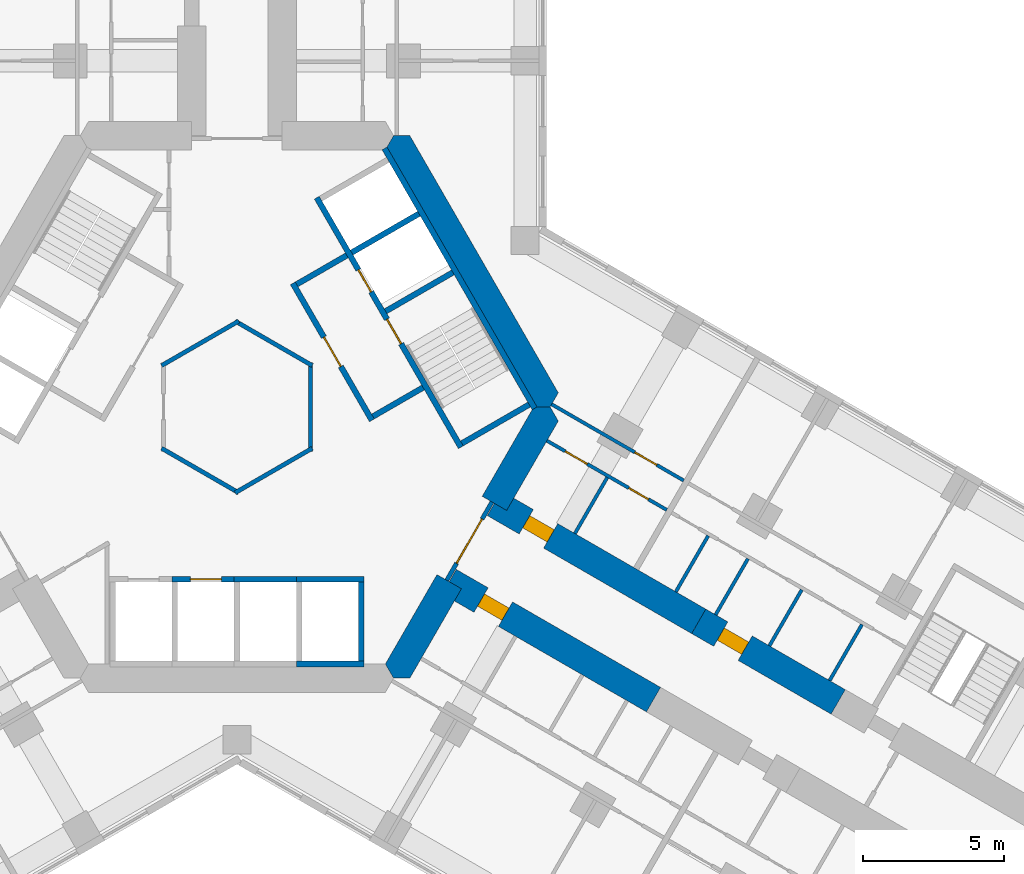
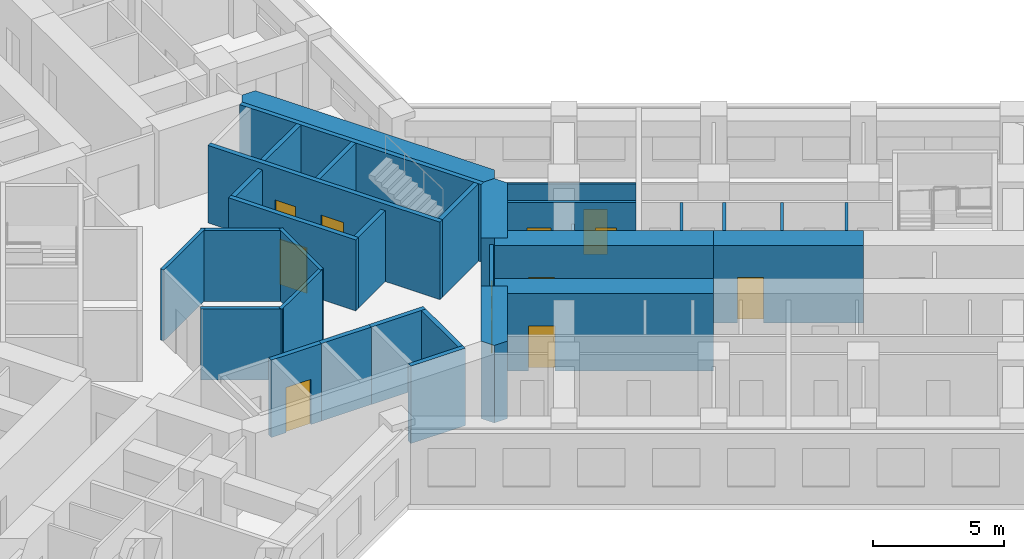
# One storey, part 15 of 21: 32 walls, 11 doors, 11 openings.
"""IFC4 building model written with IfcOpenShell, lengths in metres."""

from ifc_helpers import new_model, si_unit, direction, frame, frame_2d, origin, place, context, subcontext, project, spatial, polyline, rectangle, outline, extrude, material, layer, layer_set, type_object, element, fill, save


model = new_model("IFC4")

# Units and contexts
model_context = context("Model", 3, precision=1e-05, world=origin(), true_north=direction((0.0, 1.0)))
body_context = subcontext(model_context, "Body", "Model", "MODEL_VIEW")
ifc_project = project(units=[si_unit("LENGTHUNIT", "METRE"), si_unit("AREAUNIT", "SQUARE_METRE"), si_unit("VOLUMEUNIT", "CUBIC_METRE"), si_unit("PLANEANGLEUNIT", "RADIAN"), si_unit("MASSUNIT", "GRAM", prefix="KILO")], contexts=[model_context])

# Site, building, storey
site_placement = place(None, origin())
site = spatial("IfcSite", under=ifc_project, at=site_placement, CompositionType="ELEMENT")
building_placement = place(site_placement, origin())
building = spatial("IfcBuilding", under=site, at=building_placement, Name="Kosmar Iwan School Tower", CompositionType="ELEMENT")
storey_placement = place(building_placement, frame((0.0, 0.0, 109.60009765625)))
storey = spatial("IfcBuildingStorey", under=building, at=storey_placement, Name="L27", CompositionType="ELEMENT", Elevation=109.60009765625)

# Walls
ifc_material_1 = material(Name="Gypsum board on steel studs, fire-rated", Category="steel")
ifc_layer_1 = layer(ifc_material_1, 0.14990234375)
ifc_layer_set_1 = layer_set([ifc_layer_1], Name="Core room partition 150")
wall_type_1 = type_object("IfcWallType", Name="Core room partition 150", PredefinedType="PARTITIONING", material=ifc_layer_set_1)
for number, where, z_axis, x_axis, name in (
    (1, (2.6650390625, -1.463623046875, 0.0), (0.0, 0.0, 1.0), (-0.866023080072, -0.500004024767, 0.0), "Core room partition L27-CW4"),
    (2, (0.06494140625, -3.039794921875, 0.0), (0.0, 0.0, 1.0), (-0.866023080072, 0.500004024767, 0.0), "Core room partition L27-CW5"),
    (3, (-2.6650390625, 1.463623046875, 0.0), (0.0, 0.0, 1.0), (0.866023080072, 0.500004024767, 0.0), "Core room partition L27-CW7"),
    (4, (-0.06494140625, 3.039794921875, 0.0), (0.0, 0.0, 1.0), (0.866023080072, -0.500004024767, 0.0), "Core room partition L27-CW8"),
    (5, (2.60009765625, 1.576171875, 0.0), (0.0, 0.0, 1.0), (0.0, -1.0, 0.0), "Core room partition L27-CW9"),
):
    element("IfcWall", number, at=place(storey_placement, frame(where, z_axis=z_axis, x_axis=x_axis)), inside=storey, type_object=wall_type_1, Name=name, PredefinedType="PARTITIONING", context=body_context, shape_type="SweptSolid", body=[
        extrude(rectangle(XDim=3.15234375, YDim=0.14990234375, at=frame_2d((1.576171875, 0.0))), origin(), (0.0, 0.0, 1.0), 3.2998046875),
    ])
ifc_material_2 = material(Name="Concrete C50/60", Category="concrete")
ifc_layer_2 = layer(ifc_material_2, 1.0)
ifc_layer_set_2 = layer_set([ifc_layer_2], Name="Core wall 1000")
wall_type_2 = type_object("IfcWallType", Name="Core wall 1000", PredefinedType="SHEAR", material=ifc_layer_set_2)
wall_1_placement = place(storey_placement, origin())
element("IfcWall", 6, at=wall_1_placement, inside=storey, type_object=wall_type_2, Name="Core wall F030", PredefinedType="SHEAR", context=body_context, shape_type="SweptSolid", body=[
    extrude(outline(polyline([(10.5078125, 0.0), (11.085205078125, 0.0), (11.373779296875, 0.5), (6.119873046875, 9.60009765625), (5.54248046875, 9.60009765625), (5.25390625, 9.10009765625), (10.5078125, 0.0)])), origin(), (0.0, 0.0, 1.0), 3.599853515625),
])
wall_2_placement = place(storey_placement, origin())
element("IfcWall", 7, at=wall_2_placement, inside=storey, type_object=wall_type_2, Name="Core wall F330a", PredefinedType="SHEAR", context=body_context, shape_type="SweptSolid", body=[
    extrude(outline(polyline([(5.54248046875, -9.60009765625), (6.119873046875, -9.60009765625), (7.94677734375, -6.435546875), (7.080810546875, -5.935546875), (5.25390625, -9.10009765625), (5.54248046875, -9.60009765625)])), origin(), (0.0, 0.0, 1.0), 3.599853515625),
])
wall_3_placement = place(storey_placement, origin())
element("IfcWall", 8, at=wall_3_placement, inside=storey, type_object=wall_type_2, Name="Core wall F330b", PredefinedType="SHEAR", context=body_context, shape_type="SweptSolid", body=[
    extrude(outline(polyline([(9.546875, -3.664306640625), (11.373779296875, -0.5), (11.085205078125, 0.0), (10.5078125, 0.0), (8.680908203125, -3.164306640625), (9.546875, -3.664306640625)])), origin(), (0.0, 0.0, 1.0), 3.599853515625),
])

# Wall, opening, door
ifc_material_3 = material(Name="Concrete C50/60", Category="concrete")
ifc_layer_3 = layer(ifc_material_3, 1.0)
ifc_layer_set_3 = layer_set([ifc_layer_3], Name="Corridor buttress wall 1000")
wall_type_3 = type_object("IfcWallType", Name="Corridor buttress wall 1000", PredefinedType="SHEAR", material=ifc_layer_set_3)
wall_4_placement = place(storey_placement, frame((9.11376953125, -3.414306640625, 0.0), z_axis=(0.0, 0.0, 1.0), x_axis=(0.866026859388, -0.499997478812, 0.0)))
wall_4 = element("IfcWall", 9, at=wall_4_placement, inside=storey, type_object=wall_type_3, Name="Corridor wall CL", PredefinedType="SHEAR", context=body_context, shape_type="SweptSolid", body=[
    extrude(rectangle(XDim=8.35009765625, YDim=1.0, at=frame_2d((4.175048828125, 0.0))), origin(), (0.0, 0.0, 1.0), 3.599853515625),
])
opening_1_placement = place(wall_4_placement, frame((1.300048828125, 0.0, 0.0)))
opening_1 = element("IfcOpeningElement", 10, at=opening_1_placement, cuts=wall_4, Name="Opening D1", PredefinedType="OPENING", context=body_context, shape_type="SweptSolid", body=[
    extrude(rectangle(XDim=1.0, YDim=2.10009765625, at=frame_2d((0.5, 1.050048828125))), frame((0.0, 0.511962890625, 0.0), z_axis=(0.0, -1.0, 0.0), x_axis=(1.0, 0.0, 0.0)), (0.0, 0.0, 1.0), 1.02392578125),
])
ifc_material_4 = material(Name="Timber fire door in steel frame", Category="steel")
door_type_1 = type_object("IfcDoorType", Name="Flat entrance door 1000x2100", OperationType="SINGLE_SWING_LEFT", PredefinedType="DOOR", material=ifc_material_4)
door_1_placement = place(opening_1_placement, origin())
door_1 = element("IfcDoor", 11, at=door_1_placement, inside=storey, type_object=door_type_1, Name="Flat L27-CL1 entrance door", OperationType="SINGLE_SWING_RIGHT", OverallHeight=2.10009765625, OverallWidth=1.0, PredefinedType="DOOR", context=body_context, shape_type="SweptSolid", body=[
    extrude(rectangle(XDim=1.0, YDim=2.10009765625, at=frame_2d((0.5, 1.050048828125))), frame((0.0, 0.25, 0.0), z_axis=(0.0, -1.0, 0.0), x_axis=(1.0, 0.0, 0.0)), (0.0, 0.0, 1.0), 0.5),
])
fill(opening_1, door_1)

wall_5_placement = place(storey_placement, frame((16.34521484375, -7.58935546875, 0.0), z_axis=(0.0, 0.0, 1.0), x_axis=(0.866015111908, -0.50001782563, 0.0)))
wall_5 = element("IfcWall", 12, at=wall_5_placement, inside=storey, type_object=wall_type_3, Name="Corridor wall CL bay 2", PredefinedType="SHEAR", context=body_context, shape_type="SweptSolid", body=[
    extrude(rectangle(XDim=5.699951171875, YDim=1.0, at=frame_2d((2.85009765625, 0.0))), origin(), (0.0, 0.0, 1.0), 3.599853515625),
])
opening_2_placement = place(wall_5_placement, frame((0.89990234375, 0.0, 0.0)))
opening_2 = element("IfcOpeningElement", 13, at=opening_2_placement, cuts=wall_5, Name="Opening D1", PredefinedType="OPENING", context=body_context, shape_type="SweptSolid", body=[
    extrude(rectangle(XDim=1.0, YDim=2.10009765625, at=frame_2d((0.5, 1.050048828125))), frame((0.0, 0.511962890625, 0.0), z_axis=(0.0, -1.0, 0.0), x_axis=(1.0, 0.0, 0.0)), (0.0, 0.0, 1.0), 1.02392578125),
])
door_2_placement = place(opening_2_placement, origin())
door_2 = element("IfcDoor", 14, at=door_2_placement, inside=storey, type_object=door_type_1, Name="Flat L27-CL2 entrance door", OperationType="SINGLE_SWING_LEFT", OverallHeight=2.10009765625, OverallWidth=1.0, PredefinedType="DOOR", context=body_context, shape_type="SweptSolid", body=[
    extrude(rectangle(XDim=1.0, YDim=2.10009765625, at=frame_2d((0.5, 1.050048828125))), frame((0.0, 0.25, 0.0), z_axis=(0.0, -1.0, 0.0), x_axis=(1.0, 0.0, 0.0)), (0.0, 0.0, 1.0), 0.5),
])
fill(opening_2, door_2)

wall_6_placement = place(storey_placement, frame((7.513916015625, -6.185546875, 0.0), z_axis=(0.0, 0.0, 1.0), x_axis=(0.866019549707, -0.500010139422, 0.0)))
wall_6 = element("IfcWall", 15, at=wall_6_placement, inside=storey, type_object=wall_type_3, Name="Corridor wall CR", PredefinedType="SHEAR", context=body_context, shape_type="SweptSolid", body=[
    extrude(rectangle(XDim=8.349853515625, YDim=1.0, at=frame_2d((4.1748046875, 0.0))), origin(), (0.0, 0.0, 1.0), 3.599853515625),
])
opening_3_placement = place(wall_6_placement, frame((1.300048828125, 0.0, 0.0)))
opening_3 = element("IfcOpeningElement", 16, at=opening_3_placement, cuts=wall_6, Name="Opening D1", PredefinedType="OPENING", context=body_context, shape_type="SweptSolid", body=[
    extrude(rectangle(XDim=1.0, YDim=2.10009765625, at=frame_2d((0.5, 1.050048828125))), frame((0.0, 0.511962890625, 0.0), z_axis=(0.0, -1.0, 0.0), x_axis=(1.0, 0.0, 0.0)), (0.0, 0.0, 1.0), 1.02392578125),
])
door_3_placement = place(opening_3_placement, origin())
door_3 = element("IfcDoor", 17, at=door_3_placement, inside=storey, type_object=door_type_1, Name="Flat L27-CR1 entrance door", OperationType="SINGLE_SWING_LEFT", OverallHeight=2.10009765625, OverallWidth=1.0, PredefinedType="DOOR", context=body_context, shape_type="SweptSolid", body=[
    extrude(rectangle(XDim=1.0, YDim=2.10009765625, at=frame_2d((0.5, 1.050048828125))), frame((0.0, 0.25, 0.0), z_axis=(0.0, -1.0, 0.0), x_axis=(1.0, 0.0, 0.0)), (0.0, 0.0, 1.0), 0.5),
])
fill(opening_3, door_3)

ifc_material_5 = material(Name="Steel framed glazed screen", Category="steel")
ifc_layer_4 = layer(ifc_material_5, 0.14990234375)
ifc_layer_set_4 = layer_set([ifc_layer_4], Name="Corridor screen wall 150")
wall_type_4 = type_object("IfcWallType", Name="Corridor screen wall 150", PredefinedType="PARTITIONING", material=ifc_layer_set_4)
wall_7_placement = place(storey_placement, frame((7.42724609375, -6.1357421875, 0.0), z_axis=(0.0, 0.0, 1.0), x_axis=(0.499995408039, 0.866028054938, 0.0)))
wall_7 = element("IfcWall", 18, at=wall_7_placement, inside=storey, type_object=wall_type_4, Name="Corridor screen C L27", PredefinedType="PARTITIONING", context=body_context, shape_type="SweptSolid", body=[
    extrude(rectangle(XDim=3.2001953125, YDim=0.14990234375, at=frame_2d((1.60009765625, 0.0))), origin(), (0.0, 0.0, 1.0), 3.2998046875),
])
opening_4_placement = place(wall_7_placement, frame((0.699951171875, 0.0, 0.0)))
opening_4 = element("IfcOpeningElement", 19, at=opening_4_placement, cuts=wall_7, Name="Opening D9", PredefinedType="OPENING", context=body_context, shape_type="SweptSolid", body=[
    extrude(rectangle(XDim=1.800048828125, YDim=2.10009765625, at=frame_2d((0.89990234375, 1.050048828125))), frame((0.0, 0.0869140625, 0.0), z_axis=(0.0, -1.0, 0.0), x_axis=(1.0, 0.0, 0.0)), (0.0, 0.0, 1.0), 0.173828125),
])
ifc_material_6 = material(Name="Steel framed glazed smoke door", Category="steel")
door_type_2 = type_object("IfcDoorType", Name="Corridor smoke door pair 1800x2100", OperationType="DOUBLE_DOOR_DOUBLE_SWING", PredefinedType="DOOR", material=ifc_material_6)
door_4_placement = place(opening_4_placement, origin())
door_4 = element("IfcDoor", 20, at=door_4_placement, inside=storey, type_object=door_type_2, Name="Corridor doors C L27", OperationType="DOUBLE_DOOR_DOUBLE_SWING", OverallHeight=2.10009765625, OverallWidth=1.800048828125, PredefinedType="DOOR", context=body_context, shape_type="SweptSolid", body=[
    extrude(rectangle(XDim=1.800048828125, YDim=2.10009765625, at=frame_2d((0.89990234375, 1.050048828125))), frame((0.0, 0.02490234375, 0.0), z_axis=(0.0, -1.0, 0.0), x_axis=(1.0, 0.0, 0.0)), (0.0, 0.0, 1.0), 0.050048828125),
])
fill(opening_4, door_4)

# Wall, openings, doors
ifc_material_7 = material(Name="Gypsum board on steel studs", Category="steel")
ifc_layer_5 = layer(ifc_material_7, 0.1201171875)
ifc_layer_set_5 = layer_set([ifc_layer_5], Name="Dwelling partition 120")
wall_type_5 = type_object("IfcWallType", Name="Dwelling partition 120", PredefinedType="PARTITIONING", material=ifc_layer_set_5)
wall_8_placement = place(storey_placement, frame((10.971923828125, -1.1962890625, 0.0), z_axis=(0.0, 0.0, 1.0), x_axis=(0.866023786258, -0.500002801628, 0.0)))
wall_8 = element("IfcWall", 21, at=wall_8_placement, inside=storey, type_object=wall_type_5, Name="Partition L27-CL1-W1", PredefinedType="PARTITIONING", context=body_context, shape_type="SweptSolid", body=[
    extrude(rectangle(XDim=4.89990234375, YDim=0.1201171875, at=frame_2d((2.449951171875, 0.0))), origin(), (0.0, 0.0, 1.0), 3.2998046875),
])
opening_5_placement = place(wall_8_placement, frame((0.75, 0.0, 0.0)))
opening_5 = element("IfcOpeningElement", 22, at=opening_5_placement, cuts=wall_8, Name="Opening D2", PredefinedType="OPENING", context=body_context, shape_type="SweptSolid", body=[
    extrude(rectangle(XDim=0.89990234375, YDim=2.10009765625, at=frame_2d((0.449951171875, 1.050048828125))), frame((0.0, 0.072021484375, 0.0), z_axis=(0.0, -1.0, 0.0), x_axis=(1.0, 0.0, 0.0)), (0.0, 0.0, 1.0), 0.14404296875),
])
opening_6_placement = place(wall_8_placement, frame((3.35009765625, 0.0, 0.0)))
opening_6 = element("IfcOpeningElement", 23, at=opening_6_placement, cuts=wall_8, Name="Opening D3", PredefinedType="OPENING", context=body_context, shape_type="SweptSolid", body=[
    extrude(rectangle(XDim=0.800048828125, YDim=2.10009765625, at=frame_2d((0.39990234375, 1.050048828125))), frame((0.0, 0.072021484375, 0.0), z_axis=(0.0, -1.0, 0.0), x_axis=(1.0, 0.0, 0.0)), (0.0, 0.0, 1.0), 0.14404296875),
])
ifc_material_8 = material(Name="Timber door in timber frame", Category="wood")
door_type_3 = type_object("IfcDoorType", Name="Internal door 900x2100", OperationType="SINGLE_SWING_LEFT", PredefinedType="DOOR", material=ifc_material_8)
door_5_placement = place(opening_5_placement, origin())
door_5 = element("IfcDoor", 24, at=door_5_placement, inside=storey, type_object=door_type_3, Name="Entrance hall door L27-CL1-S1", OperationType="SINGLE_SWING_LEFT", OverallHeight=2.10009765625, OverallWidth=0.89990234375, PredefinedType="DOOR", context=body_context, shape_type="SweptSolid", body=[
    extrude(rectangle(XDim=0.89990234375, YDim=2.10009765625, at=frame_2d((0.449951171875, 1.050048828125))), frame((0.0, 0.02490234375, 0.0), z_axis=(0.0, -1.0, 0.0), x_axis=(1.0, 0.0, 0.0)), (0.0, 0.0, 1.0), 0.050048828125),
])
fill(opening_5, door_5)
ifc_material_9 = material(Name="Timber door in timber frame", Category="wood")
door_type_4 = type_object("IfcDoorType", Name="Sanitary room door 800x2100", OperationType="SINGLE_SWING_LEFT", PredefinedType="DOOR", material=ifc_material_9)
door_6_placement = place(opening_6_placement, origin())
door_6 = element("IfcDoor", 25, at=door_6_placement, inside=storey, type_object=door_type_4, Name="Bathroom door L27-CL1-S2", OperationType="SINGLE_SWING_RIGHT", OverallHeight=2.10009765625, OverallWidth=0.800048828125, PredefinedType="DOOR", context=body_context, shape_type="SweptSolid", body=[
    extrude(rectangle(XDim=0.800048828125, YDim=2.10009765625, at=frame_2d((0.39990234375, 1.050048828125))), frame((0.0, 0.02490234375, 0.0), z_axis=(0.0, -1.0, 0.0), x_axis=(1.0, 0.0, 0.0)), (0.0, 0.0, 1.0), 0.050048828125),
])
fill(opening_6, door_6)

# Wall, opening, door
wall_9_placement = place(storey_placement, frame((11.138916015625, 0.093017578125, 0.0), z_axis=(0.0, 0.0, 1.0), x_axis=(0.866028230842, -0.499995103361, 0.0)))
wall_9 = element("IfcWall", 26, at=wall_9_placement, inside=storey, type_object=wall_type_5, Name="Partition L27-CL1-W2", PredefinedType="PARTITIONING", context=body_context, shape_type="SweptSolid", body=[
    extrude(rectangle(XDim=5.39990234375, YDim=0.1201171875, at=frame_2d((2.699951171875, 0.0))), origin(), (0.0, 0.0, 1.0), 3.2998046875),
])
opening_7_placement = place(wall_9_placement, frame((3.39990234375, 0.0, 0.0)))
opening_7 = element("IfcOpeningElement", 27, at=opening_7_placement, cuts=wall_9, Name="Opening D2", PredefinedType="OPENING", context=body_context, shape_type="SweptSolid", body=[
    extrude(rectangle(XDim=0.89990234375, YDim=2.10009765625, at=frame_2d((0.449951171875, 1.050048828125))), frame((0.0, 0.072021484375, 0.0), z_axis=(0.0, -1.0, 0.0), x_axis=(1.0, 0.0, 0.0)), (0.0, 0.0, 1.0), 0.14404296875),
])
door_7_placement = place(opening_7_placement, origin())
door_7 = element("IfcDoor", 28, at=door_7_placement, inside=storey, type_object=door_type_3, Name="Studio living room and kitchen door L27-CL1-F1", OperationType="SINGLE_SWING_RIGHT", OverallHeight=2.10009765625, OverallWidth=0.89990234375, PredefinedType="DOOR", context=body_context, shape_type="SweptSolid", body=[
    extrude(rectangle(XDim=0.89990234375, YDim=2.10009765625, at=frame_2d((0.449951171875, 1.050048828125))), frame((0.0, 0.02490234375, 0.0), z_axis=(0.0, -1.0, 0.0), x_axis=(1.0, 0.0, 0.0)), (0.0, 0.0, 1.0), 0.050048828125),
])
fill(opening_7, door_7)

# Walls
wall_10_placement = place(storey_placement, frame((11.9619140625, -4.4814453125, 0.0), z_axis=(0.0, 0.0, 1.0), x_axis=(0.499968531483, 0.866043571379, 0.0)))
element("IfcWall", 29, at=wall_10_placement, inside=storey, type_object=wall_type_5, Name="Partition L27-CL1-Y1", PredefinedType="PARTITIONING", context=body_context, shape_type="SweptSolid", body=[
    extrude(rectangle(XDim=2.290283203125, YDim=0.1201171875, at=frame_2d((1.14501953125, 0.0))), origin(), (0.0, 0.0, 1.0), 2.2998046875),
])
for number, where, z_axis, x_axis, name in (
    (30, (15.5341796875, -6.5439453125, 0.0), (0.0, 0.0, 1.0), (0.499968531483, 0.866043571379, 0.0), "Partition L27-CL2-Y1"),
    (31, (16.941650390625, -7.3564453125, 0.0), (0.0, 0.0, 1.0), (0.499968531483, 0.866043571379, 0.0), "Partition L27-CL2-Y2"),
):
    element("IfcWall", number, at=place(storey_placement, frame(where, z_axis=z_axis, x_axis=x_axis)), inside=storey, type_object=wall_type_5, Name=name, PredefinedType="PARTITIONING", context=body_context, shape_type="SweptSolid", body=[
        extrude(rectangle(XDim=2.290283203125, YDim=0.1201171875, at=frame_2d((1.14501953125, 0.0))), origin(), (0.0, 0.0, 1.0), 3.2998046875),
    ])
for number, where, z_axis, x_axis, name in (
    (32, (18.846923828125, -8.456298828125, 0.0), (0.0, 0.0, 1.0), (0.500014693593, 0.866016920268, 0.0), "Partition L27-CL2-Y3"),
    (33, (20.977294921875, -9.686279296875, 0.0), (0.0, 0.0, 1.0), (0.500014693593, 0.866016920268, 0.0), "Partition L27-CL2-Y4"),
):
    element("IfcWall", number, at=place(storey_placement, frame(where, z_axis=z_axis, x_axis=x_axis)), inside=storey, type_object=wall_type_5, Name=name, PredefinedType="PARTITIONING", context=body_context, shape_type="SweptSolid", body=[
        extrude(rectangle(XDim=2.2900390625, YDim=0.1201171875, at=frame_2d((1.14501953125, 0.0))), origin(), (0.0, 0.0, 1.0), 3.2998046875),
    ])

# Wall, opening, door
ifc_material_10 = material(Name="Concrete block masonry", Category="masonry")
ifc_layer_6 = layer(ifc_material_10, 0.199951171875)
ifc_layer_set_6 = layer_set([ifc_layer_6], Name="Fire lobby wall 200")
wall_type_6 = type_object("IfcWallType", Name="Fire lobby wall 200", PredefinedType="PARTITIONING", material=ifc_layer_set_6)
wall_11_placement = place(storey_placement, frame((4.777587890625, -0.474853515625, 0.0), z_axis=(0.0, 0.0, 1.0), x_axis=(-0.500016814911, 0.866015695474, 0.0)))
wall_11 = element("IfcWall", 34, at=wall_11_placement, inside=storey, type_object=wall_type_6, Name="Firefighting lobby wall ST1", PredefinedType="PARTITIONING", context=body_context, shape_type="SweptSolid", body=[
    extrude(rectangle(XDim=5.599853515625, YDim=0.199951171875, at=frame_2d((2.7998046875, 0.0))), origin(), (0.0, 0.0, 1.0), 3.2998046875),
])
opening_8_placement = place(wall_11_placement, frame((2.199951171875, 0.0, 0.0)))
opening_8 = element("IfcOpeningElement", 35, at=opening_8_placement, cuts=wall_11, Name="Opening D7", PredefinedType="OPENING", context=body_context, shape_type="SweptSolid", body=[
    extrude(rectangle(XDim=1.199951171875, YDim=2.10009765625, at=frame_2d((0.60009765625, 1.050048828125))), frame((0.0, 0.112060546875, 0.0), z_axis=(0.0, -1.0, 0.0), x_axis=(1.0, 0.0, 0.0)), (0.0, 0.0, 1.0), 0.223876953125),
])
ifc_material_11 = material(Name="Steel fire door", Category="steel")
door_type_5 = type_object("IfcDoorType", Name="Fire lobby door 1200x2100", OperationType="SINGLE_SWING_LEFT", PredefinedType="DOOR", material=ifc_material_11)
door_8_placement = place(opening_8_placement, frame((1.199951171875, 0.0, 0.0), z_axis=(0.0, 0.0, 1.0), x_axis=(-1.0, 0.0, 0.0)))
door_8 = element("IfcDoor", 36, at=door_8_placement, inside=storey, type_object=door_type_5, Name="Firefighting lobby door ST1 L27", OperationType="SINGLE_SWING_LEFT", OverallHeight=2.10009765625, OverallWidth=1.199951171875, PredefinedType="DOOR", context=body_context, shape_type="SweptSolid", body=[
    extrude(rectangle(XDim=1.199951171875, YDim=2.10009765625, at=frame_2d((0.60009765625, 1.050048828125))), frame((0.0, 0.02490234375, 0.0), z_axis=(0.0, -1.0, 0.0), x_axis=(1.0, 0.0, 0.0)), (0.0, 0.0, 1.0), 0.050048828125),
])
fill(opening_8, door_8)

# Walls
wall_12_placement = place(storey_placement, frame((4.814208984375, -0.33837890625, 0.0), z_axis=(0.0, 0.0, 1.0), x_axis=(0.865969381856, 0.500097020274, 0.0)))
element("IfcWall", 37, at=wall_12_placement, inside=storey, type_object=wall_type_6, Name="Firefighting lobby wall ST1", PredefinedType="PARTITIONING", context=body_context, shape_type="SweptSolid", body=[
    extrude(rectangle(XDim=2.0498046875, YDim=0.199951171875, at=frame_2d((1.02490234375, 0.0))), origin(), (0.0, 0.0, 1.0), 3.2998046875),
])
wall_13_placement = place(storey_placement, frame((2.114013671875, 4.33837890625, 0.0), z_axis=(0.0, 0.0, 1.0), x_axis=(0.866050731258, 0.499956128963, 0.0)))
element("IfcWall", 38, at=wall_13_placement, inside=storey, type_object=wall_type_6, Name="Firefighting lobby wall ST1", PredefinedType="PARTITIONING", context=body_context, shape_type="SweptSolid", body=[
    extrude(rectangle(XDim=2.050048828125, YDim=0.199951171875, at=frame_2d((1.02490234375, 0.0))), origin(), (0.0, 0.0, 1.0), 3.2998046875),
])

# Wall, openings, doors
ifc_material_12 = material(Name="Concrete C50/60", Category="concrete")
ifc_layer_7 = layer(ifc_material_12, 0.199951171875)
ifc_layer_set_7 = layer_set([ifc_layer_7], Name="Lift shaft wall 200")
wall_type_7 = type_object("IfcWallType", Name="Lift shaft wall 200", PredefinedType="SHEAR", material=ifc_layer_set_7)
wall_14_placement = place(storey_placement, frame((7.926025390625, -1.42822265625, 0.0), z_axis=(0.0, 0.0, 1.0), x_axis=(-0.499998023675, 0.866026544813, 0.0)))
wall_14 = element("IfcWall", 39, at=wall_14_placement, inside=storey, type_object=wall_type_7, Name="Lift and stair front wall AC", PredefinedType="SHEAR", context=body_context, shape_type="SweptSolid", body=[
    extrude(rectangle(XDim=10.19970703125, YDim=0.199951171875, at=frame_2d((5.099853515625, 0.0))), origin(), (0.0, 0.0, 1.0), 3.599853515625),
])
opening_9_placement = place(wall_14_placement, frame((6.35009765625, 0.0, 0.0)))
opening_9 = element("IfcOpeningElement", 40, at=opening_9_placement, cuts=wall_14, Name="Opening LD2", PredefinedType="OPENING", context=body_context, shape_type="SweptSolid", body=[
    extrude(rectangle(XDim=0.89990234375, YDim=2.10009765625, at=frame_2d((0.449951171875, 1.050048828125))), frame((0.0, 0.112060546875, 0.0), z_axis=(0.0, -1.0, 0.0), x_axis=(1.0, 0.0, 0.0)), (0.0, 0.0, 1.0), 0.223876953125),
])
opening_10_placement = place(wall_14_placement, frame((4.22998046875, 0.0, 0.0)))
opening_10 = element("IfcOpeningElement", 41, at=opening_10_placement, cuts=wall_14, Name="Opening D6", PredefinedType="OPENING", context=body_context, shape_type="SweptSolid", body=[
    extrude(rectangle(XDim=1.0, YDim=2.10009765625, at=frame_2d((0.5, 1.050048828125))), frame((0.0, 0.112060546875, 0.0), z_axis=(0.0, -1.0, 0.0), x_axis=(1.0, 0.0, 0.0)), (0.0, 0.0, 1.0), 0.223876953125),
])
ifc_material_13 = material(Name="Stainless steel sliding lift door", Category="steel")
door_type_6 = type_object("IfcDoorType", Name="Firefighting lift landing door 900x2100", OperationType="SLIDING_TO_LEFT", PredefinedType="DOOR", material=ifc_material_13)
door_9_placement = place(opening_9_placement, origin())
door_9 = element("IfcDoor", 42, at=door_9_placement, inside=storey, type_object=door_type_6, Name="Lift FF1 landing door L27", OperationType="SLIDING_TO_LEFT", OverallHeight=2.10009765625, OverallWidth=0.89990234375, PredefinedType="DOOR", context=body_context, shape_type="SweptSolid", body=[
    extrude(rectangle(XDim=0.89990234375, YDim=2.10009765625, at=frame_2d((0.449951171875, 1.050048828125))), frame((0.0, 0.02490234375, 0.0), z_axis=(0.0, -1.0, 0.0), x_axis=(1.0, 0.0, 0.0)), (0.0, 0.0, 1.0), 0.050048828125),
])
fill(opening_9, door_9)
ifc_material_14 = material(Name="Steel fire door", Category="steel")
door_type_7 = type_object("IfcDoorType", Name="Stair door 1000x2100", OperationType="SINGLE_SWING_LEFT", PredefinedType="DOOR", material=ifc_material_14)
door_10_placement = place(opening_10_placement, origin())
door_10 = element("IfcDoor", 43, at=door_10_placement, inside=storey, type_object=door_type_7, Name="Stair ST1 door L27", OperationType="SINGLE_SWING_LEFT", OverallHeight=2.10009765625, OverallWidth=1.0, PredefinedType="DOOR", context=body_context, shape_type="SweptSolid", body=[
    extrude(rectangle(XDim=1.0, YDim=2.10009765625, at=frame_2d((0.5, 1.050048828125))), frame((0.0, 0.02490234375, 0.0), z_axis=(0.0, -1.0, 0.0), x_axis=(1.0, 0.0, 0.0)), (0.0, 0.0, 1.0), 0.050048828125),
])
fill(opening_10, door_10)

# Walls
wall_15_placement = place(storey_placement, frame((10.53662109375, -0.050048828125, 0.0), z_axis=(0.0, 0.0, 1.0), x_axis=(-0.499994998079, 0.866028291626, 0.0)))
element("IfcWall", 44, at=wall_15_placement, inside=storey, type_object=wall_type_7, Name="Lift and stair back wall AC", PredefinedType="SHEAR", context=body_context, shape_type="SweptSolid", body=[
    extrude(rectangle(XDim=10.623046875, YDim=0.199951171875, at=frame_2d((5.3115234375, 0.0))), origin(), (0.0, 0.0, 1.0), 3.599853515625),
])
wall_16_placement = place(storey_placement, frame((4.062744140625, 5.46337890625, 0.0), z_axis=(0.0, 0.0, 1.0), x_axis=(0.866027397988, 0.499996545922, 0.0)))
element("IfcWall", 45, at=wall_16_placement, inside=storey, type_object=wall_type_7, Name="Lift shaft wall AC 1", PredefinedType="SHEAR", context=body_context, shape_type="SweptSolid", body=[
    extrude(rectangle(XDim=2.75, YDim=0.199951171875, at=frame_2d((1.375, 0.0))), origin(), (0.0, 0.0, 1.0), 3.599853515625),
])

# Wall, opening, door
wall_17_placement = place(storey_placement, frame((-2.300048828125, -6.10009765625, 0.0), z_axis=(0.0, 0.0, 1.0), x_axis=(1.0, 0.0, 0.0)))
wall_17 = element("IfcWall", 46, at=wall_17_placement, inside=storey, type_object=wall_type_7, Name="Lift and stair front wall BC", PredefinedType="SHEAR", context=body_context, shape_type="SweptSolid", body=[
    extrude(rectangle(XDim=2.199951171875, YDim=0.199951171875, at=frame_2d((1.10009765625, 0.0))), origin(), (0.0, 0.0, 1.0), 3.599853515625),
])
opening_11_placement = place(wall_17_placement, frame((0.64990234375, 0.0, 0.0)))
opening_11 = element("IfcOpeningElement", 47, at=opening_11_placement, cuts=wall_17, Name="Opening LD1", PredefinedType="OPENING", context=body_context, shape_type="SweptSolid", body=[
    extrude(rectangle(XDim=1.10009765625, YDim=2.10009765625, at=frame_2d((0.550048828125, 1.050048828125))), frame((0.0, 0.112060546875, 0.0), z_axis=(0.0, -1.0, 0.0), x_axis=(1.0, 0.0, 0.0)), (0.0, 0.0, 1.0), 0.223876953125),
])
ifc_material_15 = material(Name="Stainless steel sliding lift door", Category="steel")
door_type_8 = type_object("IfcDoorType", Name="Lift landing door 1100x2100", OperationType="SLIDING_TO_LEFT", PredefinedType="DOOR", material=ifc_material_15)
door_11_placement = place(opening_11_placement, origin())
door_11 = element("IfcDoor", 48, at=door_11_placement, inside=storey, type_object=door_type_8, Name="Lift PL2 landing door L27", OperationType="SLIDING_TO_LEFT", OverallHeight=2.10009765625, OverallWidth=1.10009765625, PredefinedType="DOOR", context=body_context, shape_type="SweptSolid", body=[
    extrude(rectangle(XDim=1.10009765625, YDim=2.10009765625, at=frame_2d((0.550048828125, 1.050048828125))), frame((0.0, 0.02490234375, 0.0), z_axis=(0.0, -1.0, 0.0), x_axis=(1.0, 0.0, 0.0)), (0.0, 0.0, 1.0), 0.050048828125),
])
fill(opening_11, door_11)

# Walls
wall_18_placement = place(storey_placement, frame((-0.10009765625, -6.10009765625, 0.0), z_axis=(0.0, 0.0, 1.0), x_axis=(1.0, 0.0, 0.0)))
element("IfcWall", 49, at=wall_18_placement, inside=storey, type_object=wall_type_7, Name="Lift and stair front wall BC", PredefinedType="SHEAR", context=body_context, shape_type="SweptSolid", body=[
    extrude(rectangle(XDim=2.2001953125, YDim=0.199951171875, at=frame_2d((1.10009765625, 0.0))), origin(), (0.0, 0.0, 1.0), 3.599853515625),
])
for number, where, z_axis, x_axis, name in (
    (50, (2.10009765625, -6.10009765625, 0.0), (0.0, 0.0, 1.0), (1.0, 0.0, 0.0), "Lift and stair front wall BC"),
    (51, (2.10009765625, -9.10009765625, 0.0), (0.0, 0.0, 1.0), (1.0, 0.0, 0.0), "Lift and stair back wall BC"),
):
    element("IfcWall", number, at=place(storey_placement, frame(where, z_axis=z_axis, x_axis=x_axis)), inside=storey, type_object=wall_type_7, Name=name, PredefinedType="SHEAR", context=body_context, shape_type="SweptSolid", body=[
        extrude(rectangle(XDim=2.39990234375, YDim=0.199951171875, at=frame_2d((1.199951171875, 0.0))), origin(), (0.0, 0.0, 1.0), 3.599853515625),
    ])
wall_19_placement = place(storey_placement, frame((4.39990234375, -6.199951171875, 0.0), z_axis=(0.0, 0.0, 1.0), x_axis=(0.0, -1.0, 0.0)))
element("IfcWall", 52, at=wall_19_placement, inside=storey, type_object=wall_type_7, Name="Lift shaft wall BC 4", PredefinedType="SHEAR", context=body_context, shape_type="SweptSolid", body=[
    extrude(rectangle(XDim=2.800048828125, YDim=0.199951171875, at=frame_2d((1.39990234375, 0.0))), origin(), (0.0, 0.0, 1.0), 3.599853515625),
])
ifc_material_16 = material(Name="Concrete C50/60", Category="concrete")
ifc_layer_8 = layer(ifc_material_16, 0.199951171875)
ifc_layer_set_8 = layer_set([ifc_layer_8], Name="Stair enclosure wall 200")
wall_type_8 = type_object("IfcWallType", Name="Stair enclosure wall 200", PredefinedType="SHEAR", material=ifc_layer_set_8)
for number, where, z_axis, x_axis, name in (
    (53, (7.962646484375, -1.291748046875, 0.0), (0.0, 0.0, 1.0), (0.866027397988, 0.499996545922, 0.0), "Stair ST1 wall"),
    (54, (5.2626953125, 3.384765625, 0.0), (0.0, 0.0, 1.0), (0.866027397988, 0.499996545922, 0.0), "Stair ST1 wall"),
):
    element("IfcWall", number, at=place(storey_placement, frame(where, z_axis=z_axis, x_axis=x_axis)), inside=storey, type_object=wall_type_8, Name=name, PredefinedType="SHEAR", context=body_context, shape_type="SweptSolid", body=[
        extrude(rectangle(XDim=2.75, YDim=0.199951171875, at=frame_2d((1.375, 0.0))), origin(), (0.0, 0.0, 1.0), 3.599853515625),
    ])

save(model, "model.ifc")
